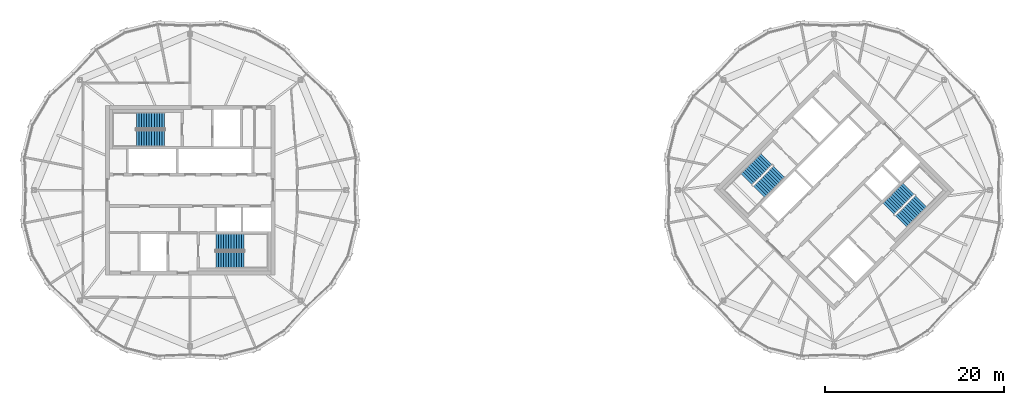
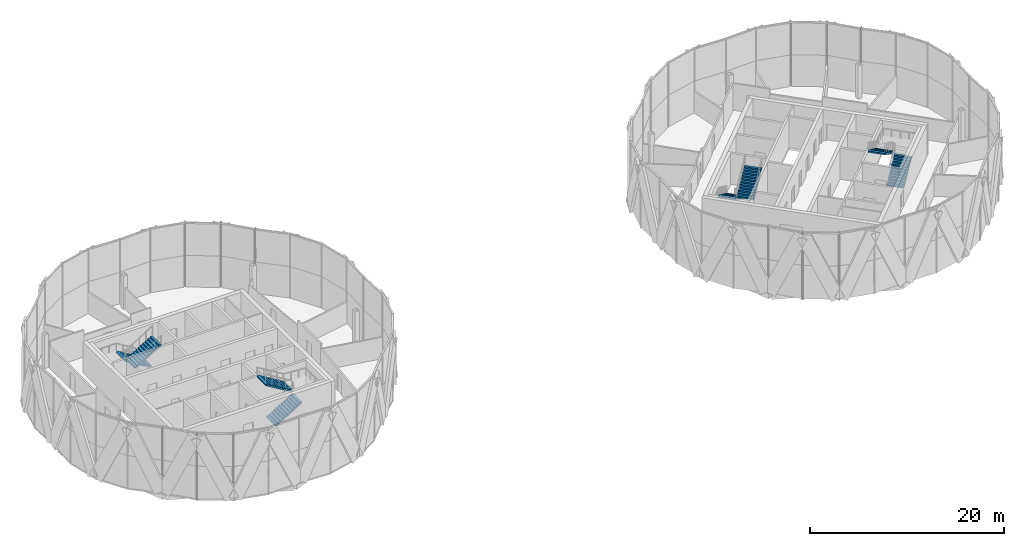
# One storey, part 20 of 22: 8 stair flights, 4 elements without a shape of their own.
"""IFC4 building model written with IfcOpenShell, lengths in metres."""

import ifcopenshell
import ifcopenshell.guid

model = None  # the IFC model being written
_history = None  # IfcOwnerHistory: only IFC2X3 demands one
_inside = {}  # id of a spatial element -> (the spatial element, [elements in it])
_under = {}  # id of a project, library or spatial element -> (it, [spatial elements below it])
_declared = {}  # id of a project -> (the project, [libraries it declares])
_typed = {}  # id of a type object -> (the type object, [elements of that type])
_made_of = {}  # id of a material, layer set ... -> (it, [elements and type objects made of it])


def new_model(schema):
    """Start an empty IFC model of exactly this schema.

    Asked for "IFC4X3", IfcOpenShell would pick the latest addendum, in which some entities
    have other attributes; the version numbers below select the first issue.
    IFC2X3 requires an IfcOwnerHistory on every rooted entity: one is made here for all.
    """
    global model, _history
    if schema == "IFC4X3":
        model = ifcopenshell.file(schema_version=(4, 3, 0, 0))
    else:
        model = ifcopenshell.file(schema=schema)
    _inside.clear()
    _under.clear()
    _declared.clear()
    _typed.clear()
    _made_of.clear()
    _history = None
    if model.schema == "IFC2X3":
        org = make("IfcOrganization", Name="unknown")
        user = make(
            "IfcPersonAndOrganization",
            ThePerson=make("IfcPerson", FamilyName="unknown"),
            TheOrganization=org,
        )
        app = make(
            "IfcApplication",
            ApplicationDeveloper=org,
            Version="unknown",
            ApplicationFullName="unknown",
            ApplicationIdentifier="unknown",
        )
        _history = make(
            "IfcOwnerHistory",
            OwningUser=user,
            OwningApplication=app,
            ChangeAction="ADDED",
            CreationDate=0,
        )
    return model


def make(cls, **values):
    """One entity of the class cls with the attributes given. An attribute that is None is left unset."""
    return model.create_entity(
        cls, **{name: value for name, value in values.items() if value is not None}
    )


def rooted(cls, **values):
    """An entity with a GlobalId (a new one), such as an element, a storey or a relation."""
    return make(cls, GlobalId=ifcopenshell.guid.new(), OwnerHistory=_history, **values)


def si_unit(unit_type, name, prefix=None):
    """IfcSIUnit, for example si_unit("LENGTHUNIT", "METRE", prefix="MILLI")."""
    return make("IfcSIUnit", UnitType=unit_type, Prefix=prefix, Name=name)


def assignment(units):
    """IfcUnitAssignment: the units of a project."""
    return None if units is None else make("IfcUnitAssignment", Units=units)


def point(xyz):
    """IfcCartesianPoint."""
    return None if xyz is None else make("IfcCartesianPoint", Coordinates=xyz)


def direction(xyz):
    """IfcDirection."""
    return None if xyz is None else make("IfcDirection", DirectionRatios=xyz)


def frame(location, z_axis=None, x_axis=None):
    """IfcAxis2Placement3D, a coordinate frame: its origin and axes. An axis left out is left unset."""
    return make(
        "IfcAxis2Placement3D",
        Location=point(location),
        Axis=direction(z_axis),
        RefDirection=direction(x_axis),
    )


def origin():
    """The frame at (0, 0, 0) with its axes left unset."""
    return frame((0.0, 0.0, 0.0))


def place(relative_to, where):
    """IfcLocalPlacement: puts the frame where relative to a parent placement (None: the world)."""
    return make(
        "IfcLocalPlacement", PlacementRelTo=relative_to, RelativePlacement=where
    )


def context(
    kind, dimensions, precision=None, world=None, true_north=None, identifier=None
):
    """IfcGeometricRepresentationContext, for example the 3D "Model" context."""
    return make(
        "IfcGeometricRepresentationContext",
        ContextIdentifier=identifier,
        ContextType=kind,
        CoordinateSpaceDimension=dimensions,
        Precision=precision,
        WorldCoordinateSystem=world,
        TrueNorth=true_north,
    )


def subcontext(parent, identifier, kind, view, scale=None):
    """IfcGeometricRepresentationSubContext, for example "Body" below "Model"."""
    return make(
        "IfcGeometricRepresentationSubContext",
        ContextIdentifier=identifier,
        ContextType=kind,
        ParentContext=parent,
        TargetScale=scale,
        TargetView=view,
    )


def project(units=None, contexts=None):
    """IfcProject with its units and contexts."""
    return rooted(
        "IfcProject",
        Name="project",
        RepresentationContexts=contexts,
        UnitsInContext=assignment(units),
    )


def spatial(cls, under=None, at=None, **own):
    """A site, building, storey or space (cls), placed at a placement, below another one or the project."""
    s = rooted(cls, ObjectPlacement=at, **own)
    if under is not None:
        _under.setdefault(under.id(), (under, []))[1].append(s)
    return s


def polyline(points):
    """IfcPolyline through the points."""
    return make("IfcPolyline", Points=[point(p) for p in points])


def outline(outer, holes=None, kind="AREA"):
    """IfcArbitraryClosedProfileDef: a profile drawn as a closed curve; with holes, ...WithVoids."""
    if holes is None:
        return make("IfcArbitraryClosedProfileDef", ProfileType=kind, OuterCurve=outer)
    return make(
        "IfcArbitraryProfileDefWithVoids",
        ProfileType=kind,
        OuterCurve=outer,
        InnerCurves=holes,
    )


def extrude(swept, where, along, depth):
    """IfcExtrudedAreaSolid: the profile swept, set in the frame where, extruded along a direction by depth."""
    return make(
        "IfcExtrudedAreaSolid",
        SweptArea=swept,
        Position=where,
        ExtrudedDirection=direction(along),
        Depth=depth,
    )


def shape(context_of_items, identifier, shape_type, items):
    """IfcShapeRepresentation: the items that make up one representation, for example the "Body"."""
    return make(
        "IfcShapeRepresentation",
        ContextOfItems=context_of_items,
        RepresentationIdentifier=identifier,
        RepresentationType=shape_type,
        Items=items,
    )


def material(Name=None, Category=None):
    """IfcMaterial."""
    return make("IfcMaterial", Name=Name, Category=Category)


def made_of(thing, what):
    """Note that an element or type object is made of a material, layer set ...; save() writes the relation."""
    if what is not None:
        _made_of.setdefault(what.id(), (what, []))[1].append(thing)
    return thing


def type_object(cls, material=None, **own):
    """A type object (cls), such as IfcWallType, which elements share."""
    return made_of(rooted(cls, **own), material)


def element(
    cls,
    number,
    at=None,
    inside=None,
    cuts=None,
    type_object=None,
    material=None,
    context=None,
    identifier="Body",
    shape_type=None,
    held_by="IfcProductDefinitionShape",
    body=None,
    shapes=None,
    **own,
):
    """One element of the class cls, such as IfcWall. Its Tag is "e" and its number.

    at: its placement. inside: the storey or other place that contains it. cuts: it is an
    opening in that element (IfcRelVoidsElement). A single representation is given by context,
    identifier, shape_type and body (its items); several are given by shapes. held_by: the class
    of the entity that holds the representations. save() writes the other relations.
    """
    e = rooted(cls, Tag="e%d" % number, ObjectPlacement=at, **own)
    if body is not None:
        shapes = [shape(context, identifier, shape_type, body)]
    if shapes is not None:
        e.Representation = make(held_by, Representations=shapes)
    if inside is not None:
        _inside.setdefault(inside.id(), (inside, []))[1].append(e)
    if cuts is not None:
        rooted(
            "IfcRelVoidsElement", RelatingBuildingElement=cuts, RelatedOpeningElement=e
        )
    if type_object is not None:
        _typed.setdefault(type_object.id(), (type_object, []))[1].append(e)
    return made_of(e, material)


def aggregate(whole, parts):
    """IfcRelAggregates: a whole, such as a stair, and the parts it consists of."""
    return rooted("IfcRelAggregates", RelatingObject=whole, RelatedObjects=parts)


def save(model, path):
    """Write the relations noted so far, then the file.

    IfcRelAggregates (storeys below a building ...), IfcRelContainedInSpatialStructure (elements
    in a storey), IfcRelDefinesByType, IfcRelAssociatesMaterial and IfcRelDeclares: one each for
    every whole, place, type object, material and project.
    """
    for whole, parts in _under.values():
        aggregate(whole, parts)
    for where, things in _inside.values():
        rooted(
            "IfcRelContainedInSpatialStructure",
            RelatedElements=things,
            RelatingStructure=where,
        )
    for kind, things in _typed.values():
        rooted("IfcRelDefinesByType", RelatedObjects=things, RelatingType=kind)
    for what, things in _made_of.values():
        rooted("IfcRelAssociatesMaterial", RelatedObjects=things, RelatingMaterial=what)
    for by, libraries in _declared.values():
        rooted("IfcRelDeclares", RelatingContext=by, RelatedDefinitions=libraries)
    model.write(path)


model = new_model("IFC4")

# Units and contexts
model_context = context("Model", 3, precision=1e-05, world=origin(), true_north=direction((0.0, 1.0)))
body_context = subcontext(model_context, "Body", "Model", "MODEL_VIEW")
ifc_project = project(units=[si_unit("LENGTHUNIT", "METRE"), si_unit("AREAUNIT", "SQUARE_METRE"), si_unit("VOLUMEUNIT", "CUBIC_METRE"), si_unit("PLANEANGLEUNIT", "RADIAN"), si_unit("MASSUNIT", "GRAM", prefix="KILO")], contexts=[model_context])

# Site, building, storey
site_placement = place(None, origin())
site = spatial("IfcSite", under=ifc_project, at=site_placement, CompositionType="ELEMENT")
building_placement = place(site_placement, origin())
building = spatial("IfcBuilding", under=site, at=building_placement, Name="Ogive Gate Towers", CompositionType="ELEMENT")
storey_placement = place(building_placement, frame((0.0, 0.0, 285.60009765625)))
storey = spatial("IfcBuildingStorey", under=building, at=storey_placement, Name="L67", CompositionType="ELEMENT", Elevation=285.60009765625)

# Stair, stair flights
ifc_material = material(Name="Concrete C40/50", Category="concrete")
stair_type = type_object("IfcStairType", Name="Escape stair 1840 wide", PredefinedType="HALF_TURN_STAIR", material=ifc_material)
stair_1_placement = place(storey_placement, origin())
stair_1 = element("IfcStair", 1, at=stair_1_placement, inside=storey, type_object=stair_type, Name="L67 Escape stair 1", PredefinedType="HALF_TURN_STAIR")
stair_flight_type = type_object("IfcStairFlightType", Name="Stair flight 1840 wide", PredefinedType="STRAIGHT", material=ifc_material)
stair_flight_1_placement = place(storey_placement, frame((-38.864990234375, 7.780029296875, 0.0), z_axis=(0.0, 0.0, 1.0), x_axis=(-1.0, 0.0, 0.0)))
stair_flight_1 = element("IfcStairFlight", 2, at=stair_flight_1_placement, type_object=stair_flight_type, Name="ST1 flight 1", NumberOfRisers=12, NumberOfTreads=11, PredefinedType="STRAIGHT", RiserHeight=0.175, TreadLength=0.2875, context=body_context, shape_type="SweptSolid", body=[
    extrude(outline(polyline([(0.0, 0.0), (0.0, 0.175048828125), (0.28759765625, 0.175048828125), (0.28759765625, 0.35009765625), (0.574951171875, 0.35009765625), (0.574951171875, 0.52490234375), (0.862548828125, 0.52490234375), (0.862548828125, 0.699951171875), (1.14990234375, 0.699951171875), (1.14990234375, 0.875), (1.4375, 0.875), (1.4375, 1.050048828125), (1.72509765625, 1.050048828125), (1.72509765625, 1.22509765625), (2.012451171875, 1.22509765625), (2.012451171875, 1.39990234375), (2.300048828125, 1.39990234375), (2.300048828125, 1.574951171875), (2.58740234375, 1.574951171875), (2.58740234375, 1.75), (2.875, 1.75), (2.875, 1.925048828125), (3.16259765625, 1.925048828125), (3.16259765625, 2.10009765625), (3.16259765625, 1.74951171875), (0.288330078125, 0.0), (0.0, 0.0)])), frame((0.0, 0.919921875, 0.0), z_axis=(0.0, -1.0, 0.0), x_axis=(1.0, 0.0, 0.0)), (0.0, 0.0, 1.0), 1.840087890625),
])
stair_flight_2_placement = place(storey_placement, frame((-42.027587890625, 5.794921875, 2.099853515625), z_axis=(0.0, 0.0, 1.0), x_axis=(1.0, 0.0, 0.0)))
stair_flight_2 = element("IfcStairFlight", 3, at=stair_flight_2_placement, type_object=stair_flight_type, Name="ST1 flight 2", NumberOfRisers=12, NumberOfTreads=11, PredefinedType="STRAIGHT", RiserHeight=0.175, TreadLength=0.2875, context=body_context, shape_type="SweptSolid", body=[
    extrude(outline(polyline([(0.0, 0.0), (0.0, 0.175048828125), (0.28759765625, 0.175048828125), (0.28759765625, 0.35009765625), (0.574951171875, 0.35009765625), (0.574951171875, 0.52490234375), (0.862548828125, 0.52490234375), (0.862548828125, 0.699951171875), (1.14990234375, 0.699951171875), (1.14990234375, 0.875), (1.4375, 0.875), (1.4375, 1.050048828125), (1.72509765625, 1.050048828125), (1.72509765625, 1.22509765625), (2.012451171875, 1.22509765625), (2.012451171875, 1.39990234375), (2.300048828125, 1.39990234375), (2.300048828125, 1.574951171875), (2.58740234375, 1.574951171875), (2.58740234375, 1.75), (2.875, 1.75), (2.875, 1.925048828125), (3.16259765625, 1.925048828125), (3.16259765625, 2.10009765625), (3.16259765625, 1.74951171875), (0.288330078125, 0.0), (0.0, 0.0)])), frame((0.0, 0.919921875, 0.0), z_axis=(0.0, -1.0, 0.0), x_axis=(1.0, 0.0, 0.0)), (0.0, 0.0, 1.0), 1.840087890625),
])
aggregate(stair_1, [stair_flight_1, stair_flight_2])

stair_2_placement = place(storey_placement, origin())
stair_2 = element("IfcStair", 4, at=stair_2_placement, inside=storey, type_object=stair_type, Name="L67 Escape stair 2", PredefinedType="HALF_TURN_STAIR")
stair_flight_3_placement = place(storey_placement, frame((-33.135009765625, -7.780029296875, 0.0), z_axis=(0.0, 0.0, 1.0), x_axis=(1.0, 0.0, 0.0)))
stair_flight_3 = element("IfcStairFlight", 5, at=stair_flight_3_placement, type_object=stair_flight_type, Name="ST2 flight 1", NumberOfRisers=12, NumberOfTreads=11, PredefinedType="STRAIGHT", RiserHeight=0.175, TreadLength=0.2875, context=body_context, shape_type="SweptSolid", body=[
    extrude(outline(polyline([(0.0, 0.0), (0.0, 0.175048828125), (0.28759765625, 0.175048828125), (0.28759765625, 0.35009765625), (0.574951171875, 0.35009765625), (0.574951171875, 0.52490234375), (0.862548828125, 0.52490234375), (0.862548828125, 0.699951171875), (1.14990234375, 0.699951171875), (1.14990234375, 0.875), (1.4375, 0.875), (1.4375, 1.050048828125), (1.72509765625, 1.050048828125), (1.72509765625, 1.22509765625), (2.012451171875, 1.22509765625), (2.012451171875, 1.39990234375), (2.300048828125, 1.39990234375), (2.300048828125, 1.574951171875), (2.58740234375, 1.574951171875), (2.58740234375, 1.75), (2.875, 1.75), (2.875, 1.925048828125), (3.16259765625, 1.925048828125), (3.16259765625, 2.10009765625), (3.16259765625, 1.74951171875), (0.288330078125, 0.0), (0.0, 0.0)])), frame((0.0, 0.919921875, 0.0), z_axis=(0.0, -1.0, 0.0), x_axis=(1.0, 0.0, 0.0)), (0.0, 0.0, 1.0), 1.840087890625),
])
stair_flight_4_placement = place(storey_placement, frame((-29.972412109375, -5.794921875, 2.099853515625), z_axis=(0.0, 0.0, 1.0), x_axis=(-1.0, 0.0, 0.0)))
stair_flight_4 = element("IfcStairFlight", 6, at=stair_flight_4_placement, type_object=stair_flight_type, Name="ST2 flight 2", NumberOfRisers=12, NumberOfTreads=11, PredefinedType="STRAIGHT", RiserHeight=0.175, TreadLength=0.2875, context=body_context, shape_type="SweptSolid", body=[
    extrude(outline(polyline([(0.0, 0.0), (0.0, 0.175048828125), (0.28759765625, 0.175048828125), (0.28759765625, 0.35009765625), (0.574951171875, 0.35009765625), (0.574951171875, 0.52490234375), (0.862548828125, 0.52490234375), (0.862548828125, 0.699951171875), (1.14990234375, 0.699951171875), (1.14990234375, 0.875), (1.4375, 0.875), (1.4375, 1.050048828125), (1.72509765625, 1.050048828125), (1.72509765625, 1.22509765625), (2.012451171875, 1.22509765625), (2.012451171875, 1.39990234375), (2.300048828125, 1.39990234375), (2.300048828125, 1.574951171875), (2.58740234375, 1.574951171875), (2.58740234375, 1.75), (2.875, 1.75), (2.875, 1.925048828125), (3.16259765625, 1.925048828125), (3.16259765625, 2.10009765625), (3.16259765625, 1.74951171875), (0.288330078125, 0.0), (0.0, 0.0)])), frame((0.0, 0.919921875, 0.0), z_axis=(0.0, -1.0, 0.0), x_axis=(1.0, 0.0, 0.0)), (0.0, 0.0, 1.0), 1.840087890625),
])
aggregate(stair_2, [stair_flight_3, stair_flight_4])

stair_3_placement = place(storey_placement, origin())
stair_3 = element("IfcStair", 7, at=stair_3_placement, inside=storey, type_object=stair_type, Name="L67 Escape stair 1", PredefinedType="HALF_TURN_STAIR")
stair_flight_5_placement = place(storey_placement, frame((28.472900390625, 3.475341796875, 0.0), z_axis=(0.0, 0.0, 1.0), x_axis=(-0.707106781187, -0.707106781187, 0.0)))
stair_flight_5 = element("IfcStairFlight", 8, at=stair_flight_5_placement, type_object=stair_flight_type, Name="ST1 flight 1", NumberOfRisers=12, NumberOfTreads=11, PredefinedType="STRAIGHT", RiserHeight=0.175, TreadLength=0.2875, context=body_context, shape_type="SweptSolid", body=[
    extrude(outline(polyline([(0.0, 0.0), (0.0, 0.175048828125), (0.28759765625, 0.175048828125), (0.28759765625, 0.35009765625), (0.574951171875, 0.35009765625), (0.574951171875, 0.52490234375), (0.862548828125, 0.52490234375), (0.862548828125, 0.699951171875), (1.14990234375, 0.699951171875), (1.14990234375, 0.875), (1.4375, 0.875), (1.4375, 1.050048828125), (1.72509765625, 1.050048828125), (1.72509765625, 1.22509765625), (2.012451171875, 1.22509765625), (2.012451171875, 1.39990234375), (2.300048828125, 1.39990234375), (2.300048828125, 1.574951171875), (2.58740234375, 1.574951171875), (2.58740234375, 1.75), (2.875, 1.75), (2.875, 1.925048828125), (3.16259765625, 1.925048828125), (3.16259765625, 2.10009765625), (3.16259765625, 1.74951171875), (0.288330078125, 0.0), (0.0, 0.0)])), frame((0.0, 0.919921875, 0.0), z_axis=(0.0, -1.0, 0.0), x_axis=(1.0, 0.0, 0.0)), (0.0, 0.0, 1.0), 1.840087890625),
])
stair_flight_6_placement = place(storey_placement, frame((27.64013671875, -0.164306640625, 2.099853515625), z_axis=(0.0, 0.0, 1.0), x_axis=(0.707106781187, 0.707106781187, 0.0)))
stair_flight_6 = element("IfcStairFlight", 9, at=stair_flight_6_placement, type_object=stair_flight_type, Name="ST1 flight 2", NumberOfRisers=12, NumberOfTreads=11, PredefinedType="STRAIGHT", RiserHeight=0.175, TreadLength=0.2875, context=body_context, shape_type="SweptSolid", body=[
    extrude(outline(polyline([(0.0, 0.0), (0.0, 0.175048828125), (0.28759765625, 0.175048828125), (0.28759765625, 0.35009765625), (0.574951171875, 0.35009765625), (0.574951171875, 0.52490234375), (0.862548828125, 0.52490234375), (0.862548828125, 0.699951171875), (1.14990234375, 0.699951171875), (1.14990234375, 0.875), (1.4375, 0.875), (1.4375, 1.050048828125), (1.72509765625, 1.050048828125), (1.72509765625, 1.22509765625), (2.012451171875, 1.22509765625), (2.012451171875, 1.39990234375), (2.300048828125, 1.39990234375), (2.300048828125, 1.574951171875), (2.58740234375, 1.574951171875), (2.58740234375, 1.75), (2.875, 1.75), (2.875, 1.925048828125), (3.16259765625, 1.925048828125), (3.16259765625, 2.10009765625), (3.16259765625, 1.74951171875), (0.288330078125, 0.0), (0.0, 0.0)])), frame((0.0, 0.919921875, 0.0), z_axis=(0.0, -1.0, 0.0), x_axis=(1.0, 0.0, 0.0)), (0.0, 0.0, 1.0), 1.840087890625),
])
aggregate(stair_3, [stair_flight_5, stair_flight_6])

stair_4_placement = place(storey_placement, origin())
stair_4 = element("IfcStair", 10, at=stair_4_placement, inside=storey, type_object=stair_type, Name="L67 Escape stair 2", PredefinedType="HALF_TURN_STAIR")
stair_flight_7_placement = place(storey_placement, frame((43.527099609375, -3.475341796875, 0.0), z_axis=(0.0, 0.0, 1.0), x_axis=(0.707106781187, 0.707106781187, 0.0)))
stair_flight_7 = element("IfcStairFlight", 11, at=stair_flight_7_placement, type_object=stair_flight_type, Name="ST2 flight 1", NumberOfRisers=12, NumberOfTreads=11, PredefinedType="STRAIGHT", RiserHeight=0.175, TreadLength=0.2875, context=body_context, shape_type="SweptSolid", body=[
    extrude(outline(polyline([(0.0, 0.0), (0.0, 0.175048828125), (0.28759765625, 0.175048828125), (0.28759765625, 0.35009765625), (0.574951171875, 0.35009765625), (0.574951171875, 0.52490234375), (0.862548828125, 0.52490234375), (0.862548828125, 0.699951171875), (1.14990234375, 0.699951171875), (1.14990234375, 0.875), (1.4375, 0.875), (1.4375, 1.050048828125), (1.72509765625, 1.050048828125), (1.72509765625, 1.22509765625), (2.012451171875, 1.22509765625), (2.012451171875, 1.39990234375), (2.300048828125, 1.39990234375), (2.300048828125, 1.574951171875), (2.58740234375, 1.574951171875), (2.58740234375, 1.75), (2.875, 1.75), (2.875, 1.925048828125), (3.16259765625, 1.925048828125), (3.16259765625, 2.10009765625), (3.16259765625, 1.74951171875), (0.288330078125, 0.0), (0.0, 0.0)])), frame((0.0, 0.919921875, 0.0), z_axis=(0.0, -1.0, 0.0), x_axis=(1.0, 0.0, 0.0)), (0.0, 0.0, 1.0), 1.840087890625),
])
stair_flight_8_placement = place(storey_placement, frame((44.35986328125, 0.164306640625, 2.099853515625), z_axis=(0.0, 0.0, 1.0), x_axis=(-0.707106781187, -0.707106781187, 0.0)))
stair_flight_8 = element("IfcStairFlight", 12, at=stair_flight_8_placement, type_object=stair_flight_type, Name="ST2 flight 2", NumberOfRisers=12, NumberOfTreads=11, PredefinedType="STRAIGHT", RiserHeight=0.175, TreadLength=0.2875, context=body_context, shape_type="SweptSolid", body=[
    extrude(outline(polyline([(0.0, 0.0), (0.0, 0.175048828125), (0.28759765625, 0.175048828125), (0.28759765625, 0.35009765625), (0.574951171875, 0.35009765625), (0.574951171875, 0.52490234375), (0.862548828125, 0.52490234375), (0.862548828125, 0.699951171875), (1.14990234375, 0.699951171875), (1.14990234375, 0.875), (1.4375, 0.875), (1.4375, 1.050048828125), (1.72509765625, 1.050048828125), (1.72509765625, 1.22509765625), (2.012451171875, 1.22509765625), (2.012451171875, 1.39990234375), (2.300048828125, 1.39990234375), (2.300048828125, 1.574951171875), (2.58740234375, 1.574951171875), (2.58740234375, 1.75), (2.875, 1.75), (2.875, 1.925048828125), (3.16259765625, 1.925048828125), (3.16259765625, 2.10009765625), (3.16259765625, 1.74951171875), (0.288330078125, 0.0), (0.0, 0.0)])), frame((0.0, 0.919921875, 0.0), z_axis=(0.0, -1.0, 0.0), x_axis=(1.0, 0.0, 0.0)), (0.0, 0.0, 1.0), 1.840087890625),
])
aggregate(stair_4, [stair_flight_7, stair_flight_8])

save(model, "model.ifc")
